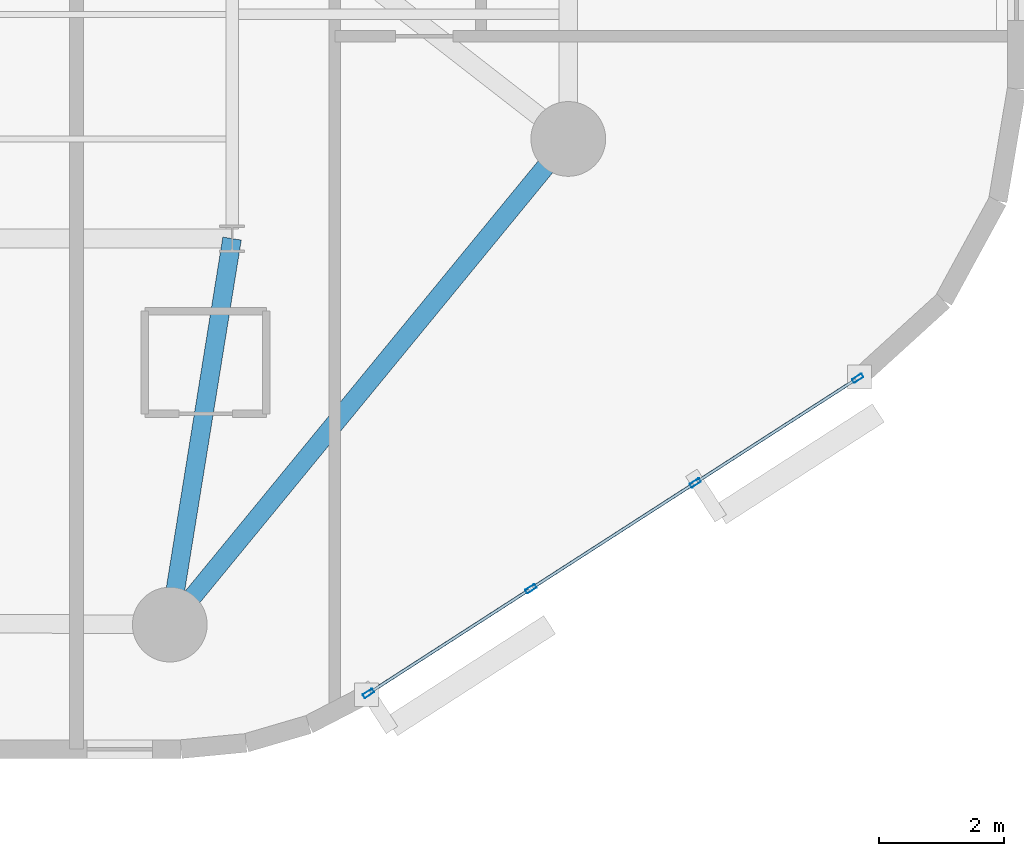
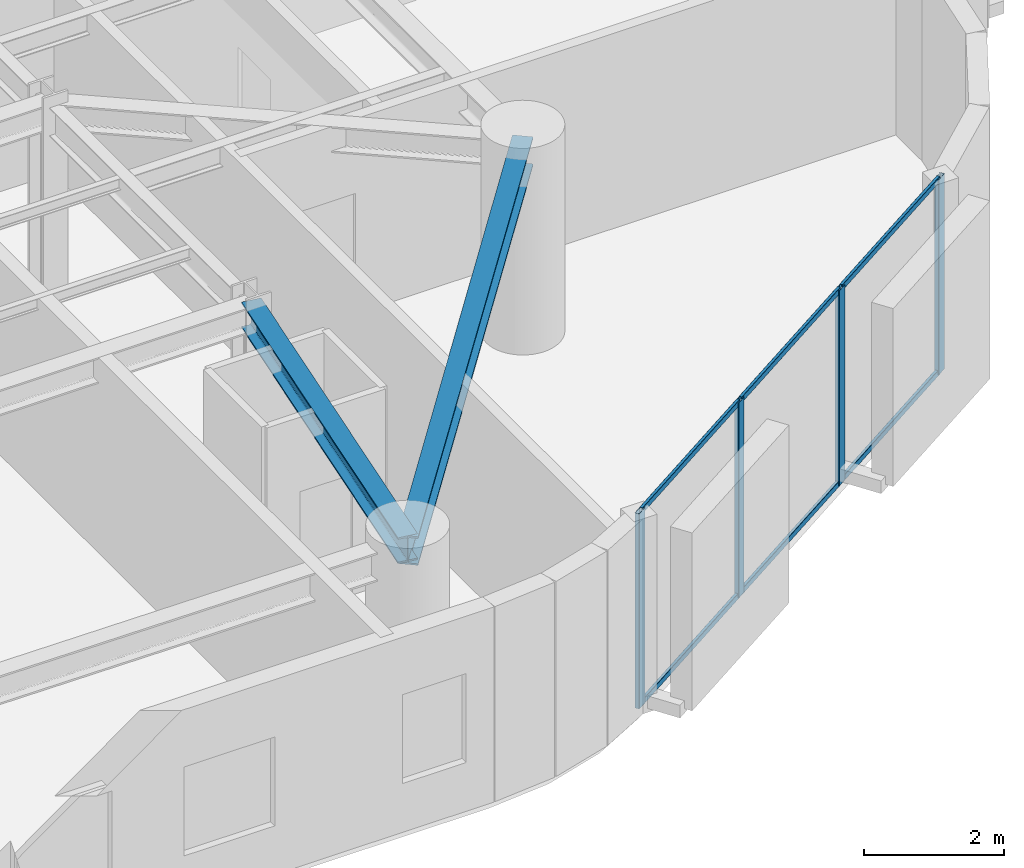
# One storey, part 2 of 16: 10 members, 2 beams, 1 element without a shape of its own.
"""IFC4 building model written with IfcOpenShell, lengths in metres."""

from ifc_helpers import new_model, si_unit, direction, frame, origin, origin_2d, place, context, subcontext, project, spatial, hollow_rectangle, i_section, extrude, material, layer, layer_set, material_profile, profile_set, type_object, element, aggregate, save


model = new_model("IFC4")

# Units and contexts
model_context = context("Model", 3, precision=1e-05, world=origin(), true_north=direction((0.0, 1.0)))
body_context = subcontext(model_context, "Body", "Model", "MODEL_VIEW")
ifc_project = project(units=[si_unit("LENGTHUNIT", "METRE"), si_unit("AREAUNIT", "SQUARE_METRE"), si_unit("VOLUMEUNIT", "CUBIC_METRE"), si_unit("PLANEANGLEUNIT", "RADIAN"), si_unit("MASSUNIT", "GRAM", prefix="KILO")], contexts=[model_context])

# Site, building, storey
site_placement = place(None, origin())
site = spatial("IfcSite", under=ifc_project, at=site_placement, CompositionType="ELEMENT")
building_placement = place(site_placement, origin())
building = spatial("IfcBuilding", under=site, at=building_placement, Name="An Khanh Terracotta Commons", CompositionType="ELEMENT")
storey_placement = place(building_placement, frame((0.0, 0.0, 151.0)))
storey = spatial("IfcBuildingStorey", under=building, at=storey_placement, Name="L39", CompositionType="ELEMENT", Elevation=151.0)

# Beams
ifc_material_1 = material(Name="Steel S355J2", Category="steel")
ifc_material_profile_1 = material_profile(ifc_material_1, i_section(OverallWidth=0.300048828125, OverallDepth=0.449951171875, WebThickness=0.013916015625, FlangeThickness=0.02587890625, FilletRadius=0.027099609375, at=origin_2d()), Name="HEB450")
ifc_profile_set_1 = profile_set([ifc_material_profile_1], Name="Steel S355J2")
beam_type_1 = type_object("IfcBeamType", Name="BM-HEB450", PredefinedType="BEAM", material=ifc_profile_set_1)
beam_1_placement = place(storey_placement, frame((49.39990234375, 8.199951171875, 3.175048828125), z_axis=(0.159233661074, 0.987240923575, 0.0), x_axis=(-0.987240923575, 0.159233661074, 0.0)))
element("IfcBeam", 1, at=beam_1_placement, inside=storey, type_object=beam_type_1, Name="L39 Mega-Column Tie Girder 2", PredefinedType="BEAM", context=body_context, shape_type="SweptSolid", body=[
    extrude(i_section(OverallWidth=0.300048828125, OverallDepth=0.449951171875, WebThickness=0.013916015625, FlangeThickness=0.02587890625, FilletRadius=0.027099609375, at=origin_2d()), origin(), (0.0, 0.0, 1.0), 6.280029296875),
])
ifc_material_profile_2 = material_profile(ifc_material_1, i_section(OverallWidth=0.300048828125, OverallDepth=0.5, WebThickness=0.014404296875, FlangeThickness=0.028076171875, FilletRadius=0.027099609375, at=origin_2d()), Name="HEB500")
ifc_profile_set_2 = profile_set([ifc_material_profile_2], Name="Steel S355J2")
beam_type_2 = type_object("IfcBeamType", Name="BM-HEB500", PredefinedType="BEAM", material=ifc_profile_set_2)
beam_2_placement = place(storey_placement, frame((49.39990234375, 8.199951171875, 3.14990234375), z_axis=(0.634322915223, 0.7730681983, 0.0), x_axis=(-0.7730681983, 0.634322915223, 0.0)))
element("IfcBeam", 2, at=beam_2_placement, inside=storey, type_object=beam_type_2, Name="L39 Perimeter Ring Spandrel 2", PredefinedType="BEAM", context=body_context, shape_type="SweptSolid", body=[
    extrude(i_section(OverallWidth=0.300048828125, OverallDepth=0.5, WebThickness=0.014404296875, FlangeThickness=0.028076171875, FilletRadius=0.027099609375, at=origin_2d()), origin(), (0.0, 0.0, 1.0), 10.08984375),
])

# Curtain wall, members
ifc_material_2 = material(Name="Anodised Aluminium 6063-T6", Category="aluminium")
ifc_layer = layer(ifc_material_2, 0.2099609375, Name="Anodised Aluminium 6063-T6")
ifc_layer_set = layer_set([ifc_layer], Name="Anodised Aluminium 6063-T6")
curtain_wall_type = type_object("IfcCurtainWallType", Name="CW-SYS-03", PredefinedType="USERDEFINED", material=ifc_layer_set)
curtain_wall_placement = place(storey_placement, origin())
curtain_wall = element("IfcCurtainWall", 3, at=curtain_wall_placement, inside=storey, type_object=curtain_wall_type, Name="L39 CW-03 Unitised Curtain Wall CW-L39-08", ObjectType="UNITISED CURTAIN WALL", PredefinedType="USERDEFINED")
ifc_material_profile_3 = material_profile(ifc_material_2, hollow_rectangle(XDim=0.070068359375, YDim=0.179931640625, WallThickness=0.00390625, InnerFilletRadius=0.00390625, OuterFilletRadius=0.008056640625, at=origin_2d()), Name="RHS180x70x4")
ifc_profile_set_3 = profile_set([ifc_material_profile_3], Name="Anodised Aluminium 6063-T6")
member_type_1 = type_object("IfcMemberType", Name="CWM-RHS180x70x4", PredefinedType="MULLION", material=ifc_profile_set_3)
member_1_placement = place(storey_placement, frame((52.58935546875, 7.094970703125, 0.0), z_axis=(0.0, 0.0, 1.0), x_axis=(-0.541497931062, 0.840702081986, 0.0)))
member_1 = element("IfcMember", 4, at=member_1_placement, type_object=member_type_1, Name="CW-03 mullion 1", PredefinedType="MULLION", context=body_context, shape_type="SweptSolid", body=[
    extrude(hollow_rectangle(XDim=0.070068359375, YDim=0.179931640625, WallThickness=0.00390625, InnerFilletRadius=0.00390625, OuterFilletRadius=0.008056640625, at=origin_2d()), origin(), (0.0, 0.0, 1.0), 3.39990234375),
])
member_2_placement = place(storey_placement, frame((55.19921875, 8.77587890625, 0.0), z_axis=(0.0, 0.0, 1.0), x_axis=(-0.541497931062, 0.840702081986, 0.0)))
member_2 = element("IfcMember", 5, at=member_2_placement, type_object=member_type_1, Name="CW-03 mullion 2", PredefinedType="MULLION", context=body_context, shape_type="SweptSolid", body=[
    extrude(hollow_rectangle(XDim=0.070068359375, YDim=0.179931640625, WallThickness=0.00390625, InnerFilletRadius=0.00390625, OuterFilletRadius=0.008056640625, at=origin_2d()), origin(), (0.0, 0.0, 1.0), 3.39990234375),
])
member_3_placement = place(storey_placement, frame((57.838623046875, 10.47607421875, 0.0), z_axis=(0.0, 0.0, 1.0), x_axis=(-0.541497931062, 0.840702081986, 0.0)))
member_3 = element("IfcMember", 6, at=member_3_placement, type_object=member_type_1, Name="CW-03 mullion 3", PredefinedType="MULLION", context=body_context, shape_type="SweptSolid", body=[
    extrude(hollow_rectangle(XDim=0.070068359375, YDim=0.179931640625, WallThickness=0.00390625, InnerFilletRadius=0.00390625, OuterFilletRadius=0.008056640625, at=origin_2d()), origin(), (0.0, 0.0, 1.0), 3.39990234375),
])
member_4_placement = place(storey_placement, frame((60.448486328125, 12.156982421875, 0.0), z_axis=(0.0, 0.0, 1.0), x_axis=(-0.541497931062, 0.840702081986, 0.0)))
member_4 = element("IfcMember", 7, at=member_4_placement, type_object=member_type_1, Name="CW-03 mullion 4", PredefinedType="MULLION", context=body_context, shape_type="SweptSolid", body=[
    extrude(hollow_rectangle(XDim=0.070068359375, YDim=0.179931640625, WallThickness=0.00390625, InnerFilletRadius=0.00390625, OuterFilletRadius=0.008056640625, at=origin_2d()), origin(), (0.0, 0.0, 1.0), 3.39990234375),
])
ifc_material_profile_4 = material_profile(ifc_material_2, hollow_rectangle(XDim=0.050048828125, YDim=0.10009765625, WallThickness=0.003173828125, InnerFilletRadius=0.003173828125, OuterFilletRadius=0.00634765625, at=origin_2d()), Name="RHS100x50x3.2")
ifc_profile_set_4 = profile_set([ifc_material_profile_4], Name="Anodised Aluminium 6063-T6")
member_type_2 = type_object("IfcMemberType", Name="CWT-RHS100x50x3.2", PredefinedType="USERDEFINED", material=ifc_profile_set_4)
member_5_placement = place(storey_placement, frame((52.618896484375, 7.114013671875, 0.02490234375), z_axis=(0.840710223453, 0.541485290826, 0.0), x_axis=(-0.541485290826, 0.840710223453, 0.0)))
member_5 = element("IfcMember", 8, at=member_5_placement, type_object=member_type_2, Name="CW-03 transom 1.1", ObjectType="TRANSOM", PredefinedType="USERDEFINED", context=body_context, shape_type="SweptSolid", body=[
    extrude(hollow_rectangle(XDim=0.050048828125, YDim=0.10009765625, WallThickness=0.003173828125, InnerFilletRadius=0.003173828125, OuterFilletRadius=0.00634765625, at=origin_2d()), origin(), (0.0, 0.0, 1.0), 3.034423828125),
])
member_6_placement = place(storey_placement, frame((52.618896484375, 7.114013671875, 3.375), z_axis=(0.840710223453, 0.541485290826, 0.0), x_axis=(-0.541485290826, 0.840710223453, 0.0)))
member_6 = element("IfcMember", 9, at=member_6_placement, type_object=member_type_2, Name="CW-03 transom 1.2", ObjectType="TRANSOM", PredefinedType="USERDEFINED", context=body_context, shape_type="SweptSolid", body=[
    extrude(hollow_rectangle(XDim=0.050048828125, YDim=0.10009765625, WallThickness=0.003173828125, InnerFilletRadius=0.003173828125, OuterFilletRadius=0.00634765625, at=origin_2d()), origin(), (0.0, 0.0, 1.0), 3.034423828125),
])
member_7_placement = place(storey_placement, frame((55.228759765625, 8.794921875, 0.02490234375), z_axis=(0.840707825526, 0.54148901383, 0.0), x_axis=(-0.54148901383, 0.840707825526, 0.0)))
member_7 = element("IfcMember", 10, at=member_7_placement, type_object=member_type_2, Name="CW-03 transom 2.1", ObjectType="TRANSOM", PredefinedType="USERDEFINED", context=body_context, shape_type="SweptSolid", body=[
    extrude(hollow_rectangle(XDim=0.050048828125, YDim=0.10009765625, WallThickness=0.003173828125, InnerFilletRadius=0.003173828125, OuterFilletRadius=0.00634765625, at=origin_2d()), origin(), (0.0, 0.0, 1.0), 3.069580078125),
])
member_8_placement = place(storey_placement, frame((55.228759765625, 8.794921875, 3.375), z_axis=(0.840707825526, 0.54148901383, 0.0), x_axis=(-0.54148901383, 0.840707825526, 0.0)))
member_8 = element("IfcMember", 11, at=member_8_placement, type_object=member_type_2, Name="CW-03 transom 2.2", ObjectType="TRANSOM", PredefinedType="USERDEFINED", context=body_context, shape_type="SweptSolid", body=[
    extrude(hollow_rectangle(XDim=0.050048828125, YDim=0.10009765625, WallThickness=0.003173828125, InnerFilletRadius=0.003173828125, OuterFilletRadius=0.00634765625, at=origin_2d()), origin(), (0.0, 0.0, 1.0), 3.069580078125),
])
member_9_placement = place(storey_placement, frame((57.8681640625, 10.494873046875, 0.02490234375), z_axis=(0.840673595852, 0.541542154626, 0.0), x_axis=(-0.541542154626, 0.840673595852, 0.0)))
member_9 = element("IfcMember", 12, at=member_9_placement, type_object=member_type_2, Name="CW-03 transom 3.1", ObjectType="TRANSOM", PredefinedType="USERDEFINED", context=body_context, shape_type="SweptSolid", body=[
    extrude(hollow_rectangle(XDim=0.050048828125, YDim=0.10009765625, WallThickness=0.003173828125, InnerFilletRadius=0.003173828125, OuterFilletRadius=0.00634765625, at=origin_2d()), origin(), (0.0, 0.0, 1.0), 3.034423828125),
])
member_10_placement = place(storey_placement, frame((57.8681640625, 10.494873046875, 3.375), z_axis=(0.840673595852, 0.541542154626, 0.0), x_axis=(-0.541542154626, 0.840673595852, 0.0)))
member_10 = element("IfcMember", 13, at=member_10_placement, type_object=member_type_2, Name="CW-03 transom 3.2", ObjectType="TRANSOM", PredefinedType="USERDEFINED", context=body_context, shape_type="SweptSolid", body=[
    extrude(hollow_rectangle(XDim=0.050048828125, YDim=0.10009765625, WallThickness=0.003173828125, InnerFilletRadius=0.003173828125, OuterFilletRadius=0.00634765625, at=origin_2d()), origin(), (0.0, 0.0, 1.0), 3.034423828125),
])
aggregate(curtain_wall, [member_1, member_2, member_3, member_4, member_5, member_6, member_7, member_8, member_9, member_10])

save(model, "model.ifc")
